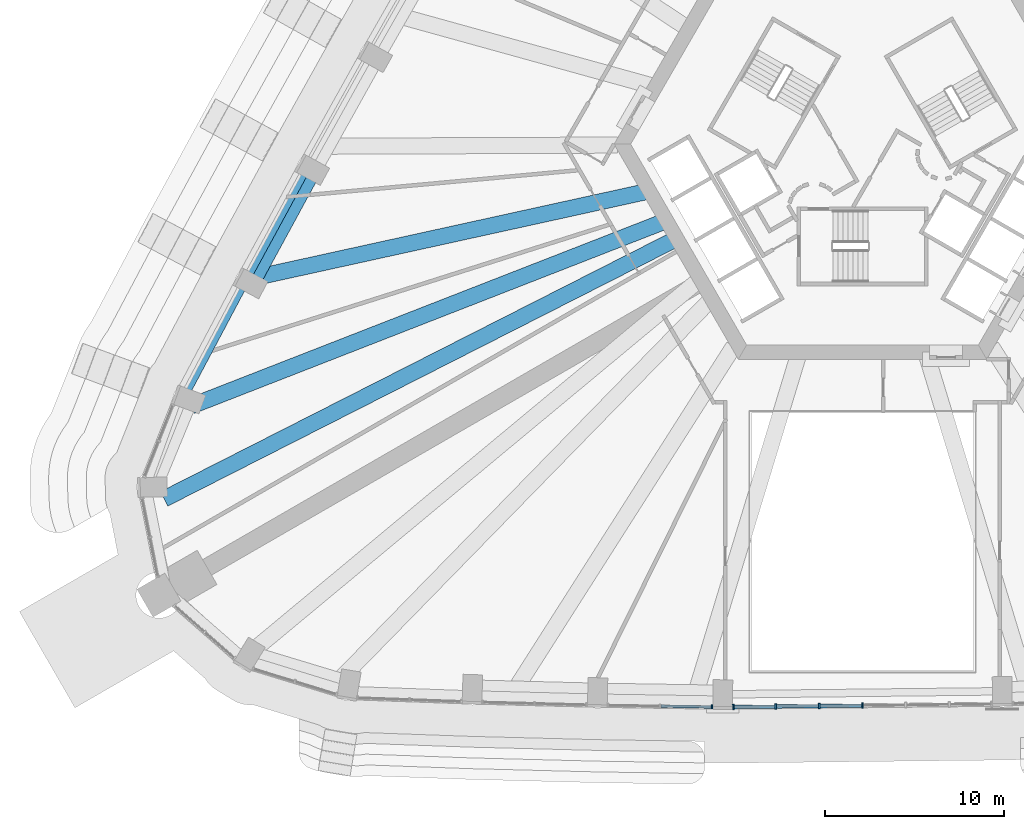
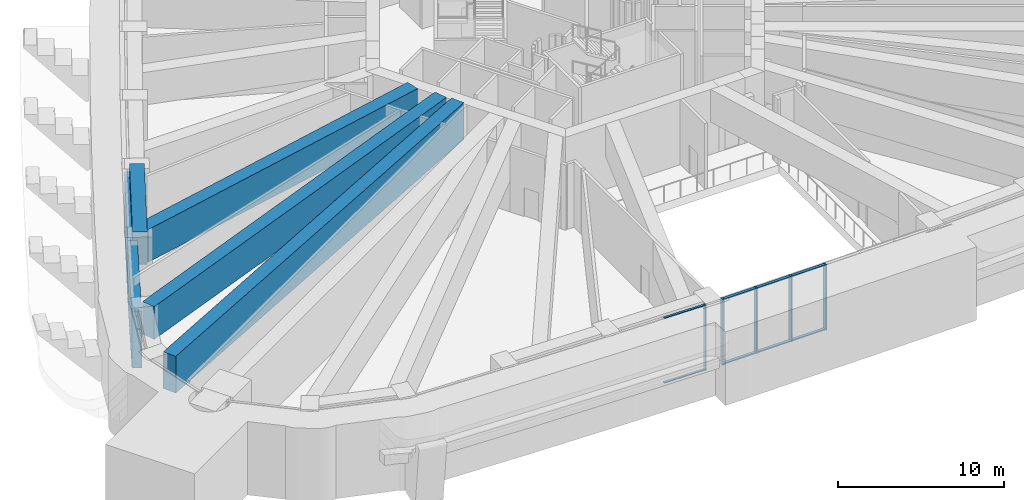
# One storey, part 3 of 22: 15 members, 4 beams, 2 elements without a shape of their own.
"""IFC4 building model written with IfcOpenShell, lengths in metres."""

from ifc_helpers import new_model, si_unit, direction, frame, origin, origin_2d, place, context, subcontext, project, spatial, rectangle, extrude, material, material_profile, profile_set, type_object, element, aggregate, save


model = new_model("IFC4")

# Units and contexts
model_context = context("Model", 3, precision=1e-05, world=origin(), true_north=direction((0.0, 1.0)))
body_context = subcontext(model_context, "Body", "Model", "MODEL_VIEW")
ifc_project = project(units=[si_unit("LENGTHUNIT", "METRE"), si_unit("AREAUNIT", "SQUARE_METRE"), si_unit("VOLUMEUNIT", "CUBIC_METRE"), si_unit("PLANEANGLEUNIT", "RADIAN"), si_unit("MASSUNIT", "GRAM", prefix="KILO")], contexts=[model_context])

# Site, building, storey
site_placement = place(None, origin())
site = spatial("IfcSite", under=ifc_project, at=site_placement, CompositionType="ELEMENT")
building_placement = place(site_placement, origin())
building = spatial("IfcBuilding", under=site, at=building_placement, Name="Entoto Arch Interchange Tower", CompositionType="ELEMENT")
storey_placement = place(building_placement, frame((0.0, 0.0, 132.800048828125)))
storey = spatial("IfcBuildingStorey", under=building, at=storey_placement, Name="L29", CompositionType="ELEMENT", Elevation=132.800048828125)

# Members
ifc_material_1 = material(Name="Concrete C60/75", Category="concrete")
ifc_material_profile_1 = material_profile(ifc_material_1, rectangle(XDim=0.60009765625, YDim=4.199951171875, at=origin_2d()))
ifc_profile_set_1 = profile_set([ifc_material_profile_1], Name="Concrete C60/75")
member_type_1 = type_object("IfcMemberType", Name="Belt member RC 600x4200 C60/75", PredefinedType="USERDEFINED", material=ifc_profile_set_1)
member_1_placement = place(storey_placement, frame((-31.037109375, 1.257080078125, 2.099853515625), z_axis=(-0.477742166511, -0.878500098086, 0.0), x_axis=(0.878500098086, -0.477742166511, 0.0)))
element("IfcMember", 1, at=member_1_placement, inside=storey, type_object=member_type_1, Name="Belt beam 30 L29", ObjectType="BELT BEAM", PredefinedType="USERDEFINED", context=body_context, shape_type="SweptSolid", body=[
    extrude(rectangle(XDim=0.60009765625, YDim=4.199951171875, at=origin_2d()), origin(), (0.0, 0.0, 1.0), 7.21484375),
])
member_2_placement = place(storey_placement, frame((-34.48388671875, -5.0810546875, 2.099853515625), z_axis=(-0.46871842498, -0.883347631504, 0.0), x_axis=(0.883347631504, -0.46871842498, 0.0)))
element("IfcMember", 2, at=member_2_placement, inside=storey, type_object=member_type_1, Name="Belt beam 31 L29", ObjectType="BELT BEAM", PredefinedType="USERDEFINED", context=body_context, shape_type="SweptSolid", body=[
    extrude(rectangle(XDim=0.60009765625, YDim=4.199951171875, at=origin_2d()), origin(), (0.0, 0.0, 1.0), 7.425048828125),
])

# Curtain wall, members
ifc_material_2 = material(Name="Aluminium, anodised", Category="aluminium")
curtain_wall_type_1 = type_object("IfcCurtainWallType", Name="CURTAIN WALL ATRIUM", PredefinedType="NOTDEFINED", material=ifc_material_2)
curtain_wall_1_placement = place(storey_placement, origin())
curtain_wall_1 = element("IfcCurtainWall", 3, at=curtain_wall_1_placement, inside=storey, type_object=curtain_wall_type_1, Name="Atrium glazing S-04 L29", PredefinedType="NOTDEFINED")
ifc_material_profile_2 = material_profile(ifc_material_2, rectangle(XDim=0.300048828125, YDim=0.10009765625, at=origin_2d()))
ifc_profile_set_2 = profile_set([ifc_material_profile_2], Name="Aluminium, anodised")
member_type_2 = type_object("IfcMemberType", Name="MULLION ATRIUM 100x300", PredefinedType="MULLION", material=ifc_profile_set_2)
member_3_placement = place(storey_placement, frame((-7.199951171875, -28.8935546875, 0.0), z_axis=(0.0, 0.0, 1.0), x_axis=(-0.011102763886, 0.999938362417, 0.0)))
member_3 = element("IfcMember", 4, at=member_3_placement, type_object=member_type_2, Name="CWA mullion 1", PredefinedType="MULLION", context=body_context, shape_type="SweptSolid", body=[
    extrude(rectangle(XDim=0.300048828125, YDim=0.10009765625, at=origin_2d()), origin(), (0.0, 0.0, 1.0), 4.800048828125),
])
member_4_placement = place(storey_placement, frame((-4.833251953125, -28.8671875, 0.0), z_axis=(0.0, 0.0, 1.0), x_axis=(-0.011102763886, 0.999938362417, 0.0)))
member_4 = element("IfcMember", 5, at=member_4_placement, type_object=member_type_2, Name="CWA mullion 2", PredefinedType="MULLION", context=body_context, shape_type="SweptSolid", body=[
    extrude(rectangle(XDim=0.300048828125, YDim=0.10009765625, at=origin_2d()), origin(), (0.0, 0.0, 1.0), 4.800048828125),
])
member_5_placement = place(storey_placement, frame((-2.416748046875, -28.84033203125, 0.0), z_axis=(0.0, 0.0, 1.0), x_axis=(-0.011102763886, 0.999938362417, 0.0)))
member_5 = element("IfcMember", 6, at=member_5_placement, type_object=member_type_2, Name="CWA mullion 3", PredefinedType="MULLION", context=body_context, shape_type="SweptSolid", body=[
    extrude(rectangle(XDim=0.300048828125, YDim=0.10009765625, at=origin_2d()), origin(), (0.0, 0.0, 1.0), 4.800048828125),
])
member_6_placement = place(storey_placement, frame((0.0, -28.8134765625, 0.0), z_axis=(0.0, 0.0, 1.0), x_axis=(-0.011102763886, 0.999938362417, 0.0)))
member_6 = element("IfcMember", 7, at=member_6_placement, type_object=member_type_2, Name="CWA mullion 4", PredefinedType="MULLION", context=body_context, shape_type="SweptSolid", body=[
    extrude(rectangle(XDim=0.300048828125, YDim=0.10009765625, at=origin_2d()), origin(), (0.0, 0.0, 1.0), 4.800048828125),
])

# Curtain wall, member
curtain_wall_type_2 = type_object("IfcCurtainWallType", Name="CURTAIN WALL SKY LOBBY", PredefinedType="NOTDEFINED", material=ifc_material_2)
curtain_wall_2_placement = place(storey_placement, origin())
curtain_wall_2 = element("IfcCurtainWall", 8, at=curtain_wall_2_placement, inside=storey, type_object=curtain_wall_type_2, Name="Sky Lobby glazing S-03 L29", PredefinedType="NOTDEFINED")
ifc_material_profile_3 = material_profile(ifc_material_2, rectangle(XDim=0.219970703125, YDim=0.090087890625, at=origin_2d()))
ifc_profile_set_3 = profile_set([ifc_material_profile_3], Name="Aluminium, anodised")
member_type_3 = type_object("IfcMemberType", Name="MULLION SKY LOBBY 90x220", PredefinedType="MULLION", material=ifc_profile_set_3)
member_7_placement = place(storey_placement, frame((-8.39306640625, -28.890380859375, 0.0), z_axis=(0.0, 0.0, 1.0), x_axis=(0.015943689866, 0.999872891298, 0.0)))
member_7 = element("IfcMember", 9, at=member_7_placement, type_object=member_type_3, Name="CWS mullion 3", PredefinedType="MULLION", context=body_context, shape_type="SweptSolid", body=[
    extrude(rectangle(XDim=0.219970703125, YDim=0.090087890625, at=origin_2d()), origin(), (0.0, 0.0, 1.0), 4.800048828125),
])

# Member
ifc_material_profile_4 = material_profile(ifc_material_2, rectangle(XDim=0.199951171875, YDim=0.080078125, at=origin_2d()))
ifc_profile_set_4 = profile_set([ifc_material_profile_4], Name="Aluminium, anodised")
member_type_4 = type_object("IfcMemberType", Name="TRANSOM ATRIUM 80x200", PredefinedType="USERDEFINED", material=ifc_profile_set_4)
member_8_placement = place(storey_placement, frame((-7.14990234375, -28.892822265625, 0.0400390625), z_axis=(0.999938463314, 0.011093673171, 0.0), x_axis=(-0.011093673171, 0.999938463314, 0.0)))
member_8 = element("IfcMember", 10, at=member_8_placement, type_object=member_type_4, Name="CWA transom 1.1", ObjectType="TRANSOM", PredefinedType="USERDEFINED", context=body_context, shape_type="SweptSolid", body=[
    extrude(rectangle(XDim=0.199951171875, YDim=0.080078125, at=origin_2d()), origin(), (0.0, 0.0, 1.0), 2.266845703125),
])

member_9_placement = place(storey_placement, frame((-7.14990234375, -28.892822265625, 4.760009765625), z_axis=(0.999938463314, 0.011093673171, 0.0), x_axis=(-0.011093673171, 0.999938463314, 0.0)))
member_9 = element("IfcMember", 11, at=member_9_placement, type_object=member_type_4, Name="CWA transom 1.2", ObjectType="TRANSOM", PredefinedType="USERDEFINED", context=body_context, shape_type="SweptSolid", body=[
    extrude(rectangle(XDim=0.199951171875, YDim=0.080078125, at=origin_2d()), origin(), (0.0, 0.0, 1.0), 2.266845703125),
])

member_10_placement = place(storey_placement, frame((-4.783447265625, -28.86669921875, 0.0400390625), z_axis=(0.999937625271, 0.011168955562, 0.0), x_axis=(-0.011168955562, 0.999937625271, 0.0)))
member_10 = element("IfcMember", 12, at=member_10_placement, type_object=member_type_4, Name="CWA transom 2.1", ObjectType="TRANSOM", PredefinedType="USERDEFINED", context=body_context, shape_type="SweptSolid", body=[
    extrude(rectangle(XDim=0.199951171875, YDim=0.080078125, at=origin_2d()), origin(), (0.0, 0.0, 1.0), 2.317138671875),
])

member_11_placement = place(storey_placement, frame((-4.783447265625, -28.86669921875, 4.760009765625), z_axis=(0.999937625271, 0.011168955562, 0.0), x_axis=(-0.011168955562, 0.999937625271, 0.0)))
member_11 = element("IfcMember", 13, at=member_11_placement, type_object=member_type_4, Name="CWA transom 2.2", ObjectType="TRANSOM", PredefinedType="USERDEFINED", context=body_context, shape_type="SweptSolid", body=[
    extrude(rectangle(XDim=0.199951171875, YDim=0.080078125, at=origin_2d()), origin(), (0.0, 0.0, 1.0), 2.317138671875),
])

member_12_placement = place(storey_placement, frame((-2.36669921875, -28.83984375, 0.0400390625), z_axis=(0.999937612124, 0.011170132457, 0.0), x_axis=(-0.011170132457, 0.999937612124, 0.0)))
member_12 = element("IfcMember", 14, at=member_12_placement, type_object=member_type_4, Name="CWA transom 3.1", ObjectType="TRANSOM", PredefinedType="USERDEFINED", context=body_context, shape_type="SweptSolid", body=[
    extrude(rectangle(XDim=0.199951171875, YDim=0.080078125, at=origin_2d()), origin(), (0.0, 0.0, 1.0), 2.31689453125),
])

member_13_placement = place(storey_placement, frame((-2.36669921875, -28.83984375, 4.760009765625), z_axis=(0.999937612124, 0.011170132457, 0.0), x_axis=(-0.011170132457, 0.999937612124, 0.0)))
member_13 = element("IfcMember", 15, at=member_13_placement, type_object=member_type_4, Name="CWA transom 3.2", ObjectType="TRANSOM", PredefinedType="USERDEFINED", context=body_context, shape_type="SweptSolid", body=[
    extrude(rectangle(XDim=0.199951171875, YDim=0.080078125, at=origin_2d()), origin(), (0.0, 0.0, 1.0), 2.31689453125),
])

aggregate(curtain_wall_1, [member_3, member_4, member_5, member_6, member_8, member_9, member_10, member_11, member_12, member_13])

ifc_material_profile_5 = material_profile(ifc_material_2, rectangle(XDim=0.159912109375, YDim=0.070068359375, at=origin_2d()))
ifc_profile_set_5 = profile_set([ifc_material_profile_5], Name="Aluminium, anodised")
member_type_5 = type_object("IfcMemberType", Name="TRANSOM SKY LOBBY 70x160", PredefinedType="USERDEFINED", material=ifc_profile_set_5)
member_14_placement = place(storey_placement, frame((-11.25048828125, -28.8447265625, 0.034912109375), z_axis=(0.999872468459, -0.01597018526, 0.0), x_axis=(0.01597018526, 0.999872468459, 0.0)))
member_14 = element("IfcMember", 16, at=member_14_placement, type_object=member_type_5, Name="CWS transom 2.1", ObjectType="TRANSOM", PredefinedType="USERDEFINED", context=body_context, shape_type="SweptSolid", body=[
    extrude(rectangle(XDim=0.159912109375, YDim=0.070068359375, at=origin_2d()), origin(), (0.0, 0.0, 1.0), 2.812744140625),
])

member_15_placement = place(storey_placement, frame((-11.25048828125, -28.8447265625, 4.764892578125), z_axis=(0.999872468459, -0.01597018526, 0.0), x_axis=(0.01597018526, 0.999872468459, 0.0)))
member_15 = element("IfcMember", 17, at=member_15_placement, type_object=member_type_5, Name="CWS transom 2.2", ObjectType="TRANSOM", PredefinedType="USERDEFINED", context=body_context, shape_type="SweptSolid", body=[
    extrude(rectangle(XDim=0.159912109375, YDim=0.070068359375, at=origin_2d()), origin(), (0.0, 0.0, 1.0), 2.812744140625),
])

aggregate(curtain_wall_2, [member_7, member_14, member_15])

# Beams
ifc_material_profile_6 = material_profile(ifc_material_1, rectangle(XDim=0.89990234375, YDim=2.39990234375, at=origin_2d()))
ifc_profile_set_6 = profile_set([ifc_material_profile_6], Name="Concrete C60/75")
beam_type_1 = type_object("IfcBeamType", Name="Transfer beam RC 900x2400 C60/75", PredefinedType="BEAM", material=ifc_profile_set_6)
beam_1_placement = place(storey_placement, frame((-12.14990234375, -0.1689453125, 3.599853515625), z_axis=(-0.976719805572, -0.214519046716, 0.0), x_axis=(0.214519046716, -0.976719805572, 0.0)))
element("IfcBeam", 18, at=beam_1_placement, inside=storey, type_object=beam_type_1, Name="Transfer beam NW07 L29", PredefinedType="BEAM", context=body_context, shape_type="SweptSolid", body=[
    extrude(rectangle(XDim=0.89990234375, YDim=2.39990234375, at=origin_2d()), origin(), (0.0, 0.0, 1.0), 21.96044921875),
])
beam_2_placement = place(storey_placement, frame((-30.636962890625, 1.0400390625, 3.599853515625), z_axis=(-0.477810008446, -0.878463201181, 0.0), x_axis=(0.878463201181, -0.477810008446, 0.0)))
element("IfcBeam", 19, at=beam_2_placement, inside=storey, type_object=beam_type_1, Name="Transfer girder NW07 L29", PredefinedType="BEAM", context=body_context, shape_type="SweptSolid", body=[
    extrude(rectangle(XDim=0.89990234375, YDim=2.39990234375, at=origin_2d()), origin(), (0.0, 0.0, 1.0), 7.2080078125),
])
beam_3_placement = place(storey_placement, frame((-11.1689453125, -1.85693359375, 3.599853515625), z_axis=(-0.931621683937, -0.363429550283, 0.0), x_axis=(0.363429550283, -0.931621683937, 0.0)))
element("IfcBeam", 20, at=beam_3_placement, inside=storey, type_object=beam_type_1, Name="Transfer beam NW08 L29", PredefinedType="BEAM", context=body_context, shape_type="SweptSolid", body=[
    extrude(rectangle(XDim=0.89990234375, YDim=2.39990234375, at=origin_2d()), origin(), (0.0, 0.0, 1.0), 28.1875),
])
ifc_material_profile_7 = material_profile(ifc_material_1, rectangle(XDim=0.89990234375, YDim=2.699951171875, at=origin_2d()))
ifc_profile_set_7 = profile_set([ifc_material_profile_7], Name="Concrete C60/75")
beam_type_2 = type_object("IfcBeamType", Name="Transfer beam RC 900x2700 C60/75", PredefinedType="BEAM", material=ifc_profile_set_7)
beam_4_placement = place(storey_placement, frame((-10.580078125, -2.875, 3.449951171875), z_axis=(-0.891568590019, -0.452885691198, 0.0), x_axis=(0.452885691198, -0.891568590019, 0.0)))
element("IfcBeam", 21, at=beam_4_placement, inside=storey, type_object=beam_type_2, Name="Transfer beam SW1 L29", PredefinedType="BEAM", context=body_context, shape_type="SweptSolid", body=[
    extrude(rectangle(XDim=0.89990234375, YDim=2.699951171875, at=origin_2d()), origin(), (0.0, 0.0, 1.0), 31.81787109375),
])

save(model, "model.ifc")
